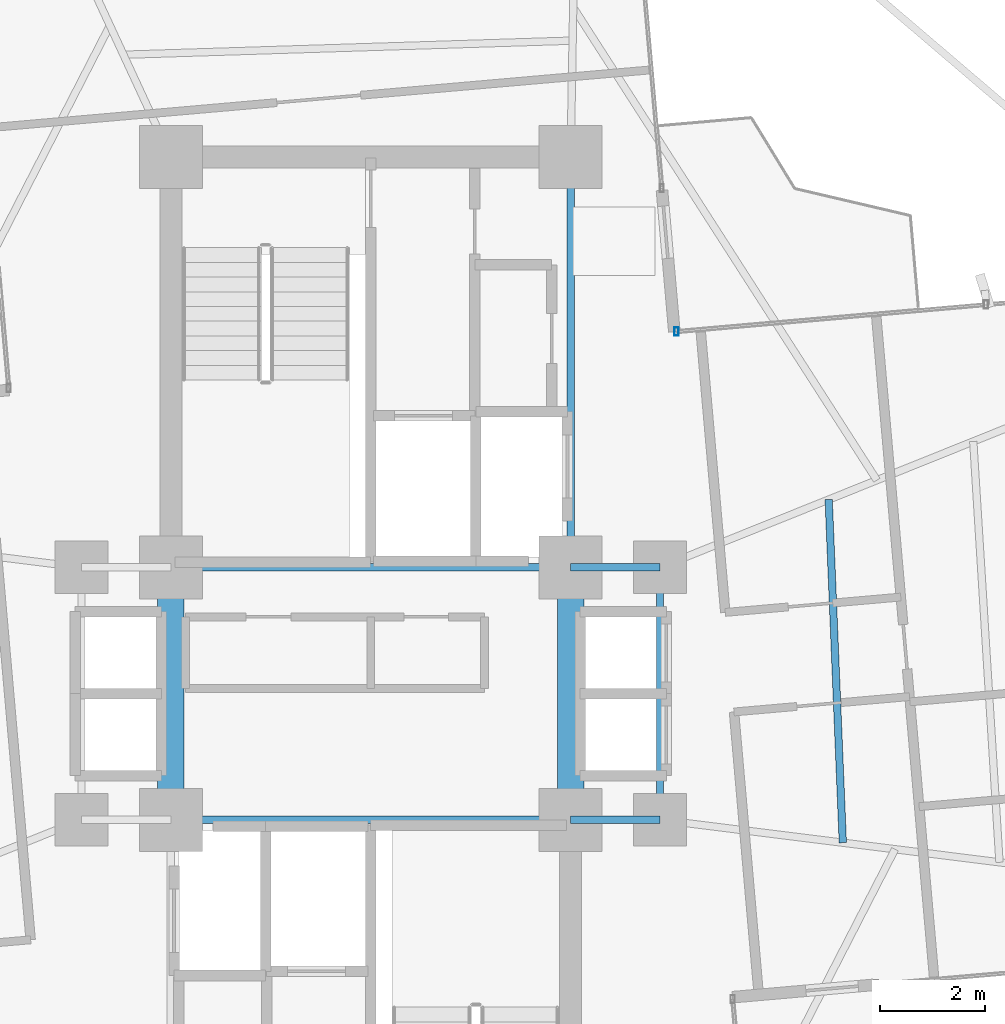
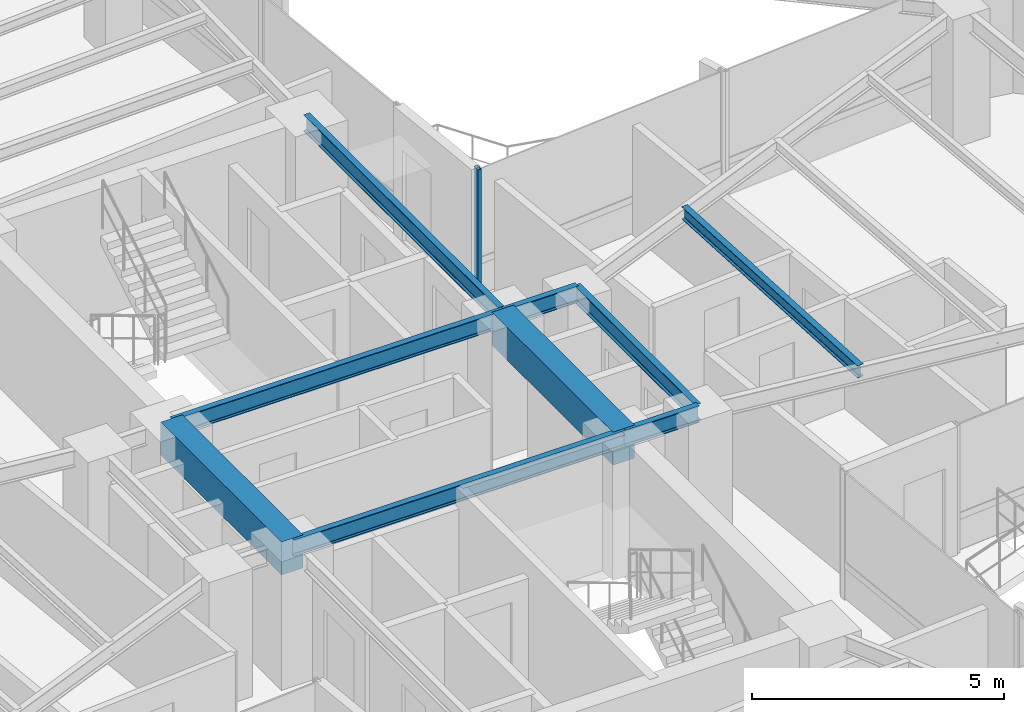
# One storey, part 11 of 24: 9 beams, 1 member, 1 element without a shape of its own.
"""IFC4 building model written with IfcOpenShell, lengths in metres."""

from ifc_helpers import new_model, si_unit, direction, frame, origin, origin_2d, place, context, subcontext, project, spatial, rectangle, hollow_rectangle, i_section, extrude, source, transform, mapped, material, material_profile, profile_set, type_object, element, aggregate, save


model = new_model("IFC4")

# Units and contexts
model_context = context("Model", 3, precision=1e-05, world=origin(), true_north=direction((0.0, 1.0)))
body_context = subcontext(model_context, "Body", "Model", "MODEL_VIEW")
ifc_project = project(units=[si_unit("LENGTHUNIT", "METRE"), si_unit("AREAUNIT", "SQUARE_METRE"), si_unit("VOLUMEUNIT", "CUBIC_METRE"), si_unit("PLANEANGLEUNIT", "RADIAN"), si_unit("MASSUNIT", "GRAM", prefix="KILO")], contexts=[model_context])

# Site, building, storey
site_placement = place(None, origin())
site = spatial("IfcSite", under=ifc_project, at=site_placement, CompositionType="ELEMENT")
building_placement = place(site_placement, origin())
building = spatial("IfcBuilding", under=site, at=building_placement, Name="Sahyath Konkavel Grand Hotel", CompositionType="ELEMENT")
storey_placement = place(building_placement, frame((0.0, 0.0, 147.25)))
storey = spatial("IfcBuildingStorey", under=building, at=storey_placement, Name="L40", CompositionType="ELEMENT", Elevation=147.25)

# Beams
ifc_material_1 = material(Name="Steel E350", Category="steel")
ifc_material_profile_1 = material_profile(ifc_material_1, i_section(OverallWidth=0.139892578125, OverallDepth=0.39990234375, WebThickness=0.0087890625, FlangeThickness=0.01611328125, FilletRadius=0.013916015625, at=origin_2d()), Name="ISMB 400")
ifc_profile_set_1 = profile_set([ifc_material_profile_1], Name="Steel E350")
beam_type_1 = type_object("IfcBeamType", Name="BM-ISMB400", PredefinedType="BEAM", material=ifc_profile_set_1)
shared_shape_1 = source(origin(), body_context, "Body", "SweptSolid", [
    extrude(i_section(OverallWidth=0.139892578125, OverallDepth=0.39990234375, WebThickness=0.0087890625, FlangeThickness=0.01611328125, FilletRadius=0.013916015625, at=origin_2d()), origin(), (0.0, 0.0, 1.0), 7.60009765625),
])
for number, where, z_axis, x_axis, name in (
    (1, (-3.800048828125, 2.39990234375, 2.909912109375), (1.0, 0.0, 0.0), (0.0, 1.0, 0.0), "str:bm:L40:NC-S"),
    (2, (-3.800048828125, -2.39990234375, 2.909912109375), (1.0, 0.0, 0.0), (0.0, 1.0, 0.0), "str:bm:L40:SC-N"),
):
    element("IfcBeam", number, at=place(storey_placement, frame(where, z_axis=z_axis, x_axis=x_axis)), inside=storey, type_object=beam_type_1, Name=name, PredefinedType="BEAM", context=body_context, shape_type="MappedRepresentation", body=[
        mapped(shared_shape_1, transform((0.0, 0.0, 0.0), scale=1.0)),
    ])
shared_shape_2 = source(origin(), body_context, "Body", "SweptSolid", [
    extrude(i_section(OverallWidth=0.139892578125, OverallDepth=0.39990234375, WebThickness=0.0087890625, FlangeThickness=0.01611328125, FilletRadius=0.013916015625, at=origin_2d()), origin(), (0.0, 0.0, 1.0), 7.800048828125),
])
beam_1_placement = place(storey_placement, frame((3.800048828125, 2.39990234375, 2.909912109375), z_axis=(0.0, 1.0, 0.0), x_axis=(-1.0, 0.0, 0.0)))
element("IfcBeam", 3, at=beam_1_placement, inside=storey, type_object=beam_type_1, Name="str:bm:L40:NC-E", PredefinedType="BEAM", context=body_context, shape_type="MappedRepresentation", body=[
    mapped(shared_shape_2, transform((0.0, 0.0, 0.0), scale=1.0)),
])
shared_shape_3 = source(origin(), body_context, "Body", "SweptSolid", [
    extrude(i_section(OverallWidth=0.139892578125, OverallDepth=0.39990234375, WebThickness=0.0087890625, FlangeThickness=0.01611328125, FilletRadius=0.013916015625, at=origin_2d()), origin(), (0.0, 0.0, 1.0), 1.699951171875),
])
for number, where, z_axis, x_axis, name in (
    (4, (3.800048828125, 2.39990234375, 2.909912109375), (1.0, 0.0, 0.0), (0.0, 1.0, 0.0), "str:bm:L40:HB-NE"),
    (5, (3.800048828125, -2.39990234375, 2.909912109375), (1.0, 0.0, 0.0), (0.0, 1.0, 0.0), "str:bm:L40:HB-SE"),
):
    element("IfcBeam", number, at=place(storey_placement, frame(where, z_axis=z_axis, x_axis=x_axis)), inside=storey, type_object=beam_type_1, Name=name, PredefinedType="BEAM", context=body_context, shape_type="MappedRepresentation", body=[
        mapped(shared_shape_3, transform((0.0, 0.0, 0.0), scale=1.0)),
    ])
shared_shape_4 = source(origin(), body_context, "Body", "SweptSolid", [
    extrude(i_section(OverallWidth=0.139892578125, OverallDepth=0.39990234375, WebThickness=0.0087890625, FlangeThickness=0.01611328125, FilletRadius=0.013916015625, at=origin_2d()), origin(), (0.0, 0.0, 1.0), 4.7998046875),
])
beam_2_placement = place(storey_placement, frame((5.5, -2.39990234375, 2.909912109375), z_axis=(0.0, 1.0, 0.0), x_axis=(-1.0, 0.0, 0.0)))
element("IfcBeam", 6, at=beam_2_placement, inside=storey, type_object=beam_type_1, Name="str:bm:L40:HB-E", PredefinedType="BEAM", context=body_context, shape_type="MappedRepresentation", body=[
    mapped(shared_shape_4, transform((0.0, 0.0, 0.0), scale=1.0)),
])
ifc_material_2 = material(Name="Concrete C50/60", Category="concrete")
ifc_material_profile_2 = material_profile(ifc_material_2, rectangle(XDim=0.5, YDim=0.800048828125, at=origin_2d()), Name="RC 500x800")
ifc_profile_set_2 = profile_set([ifc_material_profile_2], Name="Concrete C50/60")
beam_type_2 = type_object("IfcBeamType", Name="BM-CB500x800", PredefinedType="LINTEL", material=ifc_profile_set_2)
shared_shape_5 = source(origin(), body_context, "Body", "SweptSolid", [
    extrude(rectangle(XDim=0.5, YDim=0.800048828125, at=origin_2d()), origin(), (0.0, 0.0, 1.0), 4.7998046875),
])
for number, where, z_axis, x_axis, name in (
    (7, (-3.800048828125, -2.39990234375, 2.7099609375), (0.0, 1.0, 0.0), (-1.0, 0.0, 0.0), "L40 Split-Core Coupling Beam West"),
    (8, (3.800048828125, -2.39990234375, 2.7099609375), (0.0, 1.0, 0.0), (-1.0, 0.0, 0.0), "L40 Split-Core Coupling Beam East"),
):
    element("IfcBeam", number, at=place(storey_placement, frame(where, z_axis=z_axis, x_axis=x_axis)), inside=storey, type_object=beam_type_2, Name=name, PredefinedType="LINTEL", context=body_context, shape_type="MappedRepresentation", body=[
        mapped(shared_shape_5, transform((0.0, 0.0, 0.0), scale=1.0)),
    ])
ifc_material_profile_3 = material_profile(ifc_material_1, i_section(OverallWidth=0.139892578125, OverallDepth=0.300048828125, WebThickness=0.0078125, FlangeThickness=0.01318359375, FilletRadius=0.013916015625, at=origin_2d()), Name="ISMB 300")
ifc_profile_set_3 = profile_set([ifc_material_profile_3], Name="Steel E350")
beam_type_3 = type_object("IfcBeamType", Name="BM-ISMB300", PredefinedType="BEAM", material=ifc_profile_set_3)
shared_shape_6 = source(origin(), body_context, "Body", "SweptSolid", [
    extrude(i_section(OverallWidth=0.139892578125, OverallDepth=0.300048828125, WebThickness=0.0078125, FlangeThickness=0.01318359375, FilletRadius=0.013916015625, at=origin_2d()), origin(), (0.0, 0.0, 1.0), 6.530029296875),
])
beam_3_placement = place(storey_placement, frame((8.9755859375, -2.835205078125, 2.9599609375), z_axis=(-0.04112667768, 0.999153940283, 0.0), x_axis=(-0.999153940283, -0.04112667768, 0.0)))
element("IfcBeam", 9, at=beam_3_placement, inside=storey, type_object=beam_type_3, Name="L40 Secondary Floor Beam E-1", PredefinedType="BEAM", context=body_context, shape_type="MappedRepresentation", body=[
    mapped(shared_shape_6, transform((0.0, 0.0, 0.0), scale=1.0)),
])

# Curtain wall, member
ifc_material_3 = material(Name="Anodised Bronze Aluminium & Low-E Glazing", Category="aluminium")
curtain_wall_type = type_object("IfcCurtainWallType", Name="CW-ZONE3", PredefinedType="NOTDEFINED", material=ifc_material_3)
curtain_wall_placement = place(storey_placement, origin())
curtain_wall = element("IfcCurtainWall", 10, at=curtain_wall_placement, inside=storey, type_object=curtain_wall_type, Name="L40 Unitised Curtain Wall F7", PredefinedType="NOTDEFINED")
ifc_material_4 = material(Name="Anodised Bronze Aluminium", Category="aluminium")
ifc_material_profile_4 = material_profile(ifc_material_4, hollow_rectangle(XDim=0.080078125, YDim=0.159912109375, WallThickness=0.006103515625, at=origin_2d()), Name="RHS 160x80x6")
ifc_profile_set_4 = profile_set([ifc_material_profile_4], Name="Anodised Bronze Aluminium")
member_type = type_object("IfcMemberType", Name="CW-MUL-160", PredefinedType="MULLION", material=ifc_profile_set_4)
shared_shape_7 = source(origin(), body_context, "Body", "SweptSolid", [
    extrude(hollow_rectangle(XDim=0.080078125, YDim=0.159912109375, WallThickness=0.006103515625, at=origin_2d()), origin(), (0.0, 0.0, 1.0), 3.110107421875),
])
member_placement = place(storey_placement, frame((5.812255859375, 6.8828125, 0.0), z_axis=(0.0, 0.0, 1.0), x_axis=(1.0, 0.0, 0.0)))
member = element("IfcMember", 11, at=member_placement, type_object=member_type, Name="L40 Curtain Wall Mullion F7-2", PredefinedType="MULLION", context=body_context, shape_type="MappedRepresentation", body=[
    mapped(shared_shape_7, transform((0.0, 0.0, 0.0), scale=1.0)),
])
aggregate(curtain_wall, [member])

save(model, "model.ifc")
